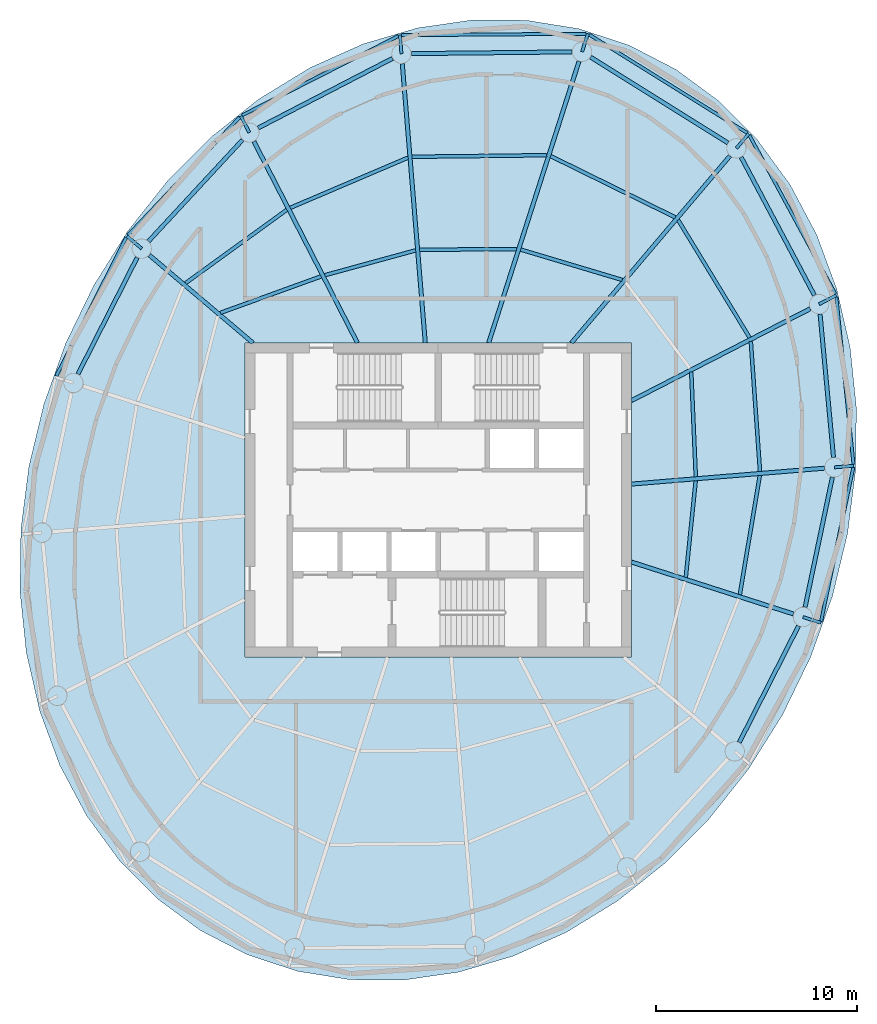
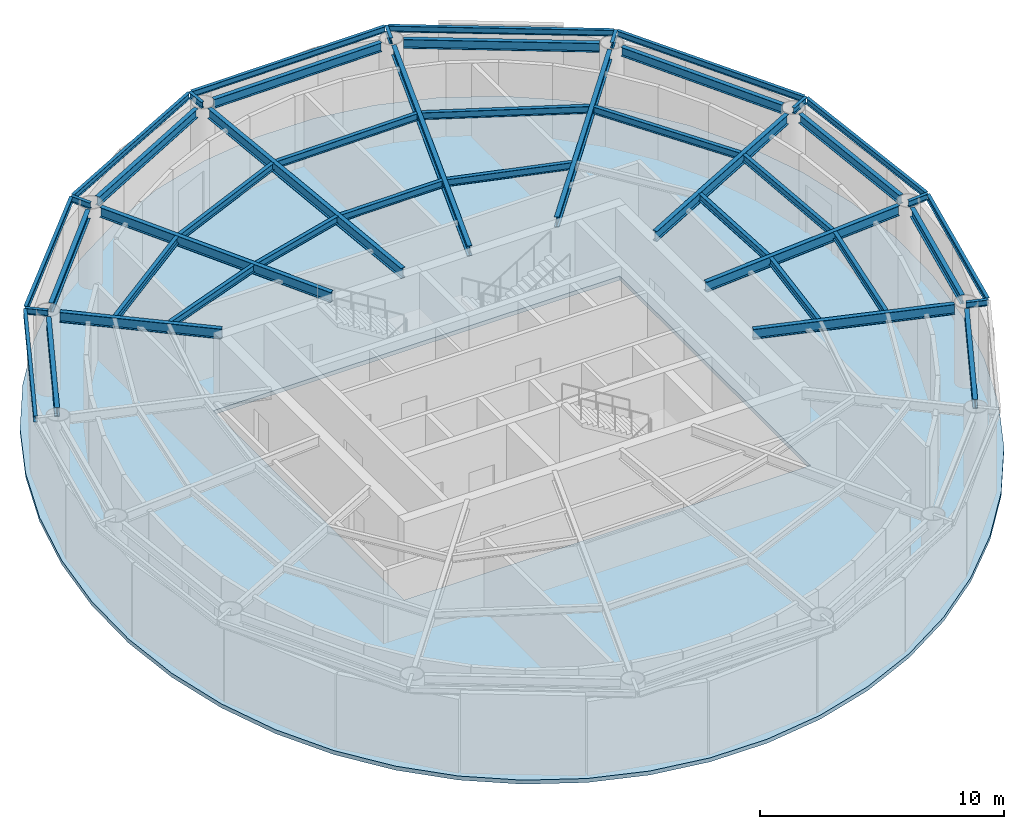
# One storey, part 2 of 6: 46 beams, 1 slab.
"""IFC4 building model written with IfcOpenShell, lengths in metres."""

from ifc_helpers import new_model, si_unit, direction, frame, origin, origin_2d, place, context, subcontext, project, spatial, polyline, i_section, outline, extrude, material, layer, layer_set, material_profile, profile_set, type_object, element, save


model = new_model("IFC4")

# Units and contexts
model_context = context("Model", 3, precision=1e-05, world=origin(), true_north=direction((0.0, 1.0)))
body_context = subcontext(model_context, "Body", "Model", "MODEL_VIEW")
ifc_project = project(units=[si_unit("LENGTHUNIT", "METRE"), si_unit("AREAUNIT", "SQUARE_METRE"), si_unit("VOLUMEUNIT", "CUBIC_METRE"), si_unit("PLANEANGLEUNIT", "RADIAN"), si_unit("MASSUNIT", "GRAM", prefix="KILO")], contexts=[model_context])

# Site, building, storey
site_placement = place(None, origin())
site = spatial("IfcSite", under=ifc_project, at=site_placement, CompositionType="ELEMENT")
building_placement = place(site_placement, origin())
building = spatial("IfcBuilding", under=site, at=building_placement, Name="Vermilion Reach Broadcast Tower", CompositionType="ELEMENT")
storey_placement = place(building_placement, frame((0.0, 0.0, 304.5)))
storey = spatial("IfcBuildingStorey", under=building, at=storey_placement, Name="L76 CROWN", CompositionType="ELEMENT", Elevation=304.5)

# Beams
ifc_material_1 = material(Name="Steel S355J2", Category="steel")
ifc_material_profile_1 = material_profile(ifc_material_1, i_section(OverallWidth=0.14990234375, OverallDepth=0.300048828125, WebThickness=0.006591796875, FlangeThickness=0.009033203125, at=origin_2d()), Name="S355J2 HN 300x150x6.5x9")
ifc_profile_set_1 = profile_set([ifc_material_profile_1], Name="Steel S355J2")
beam_type_1 = type_object("IfcBeamType", Name="EB5 HN 300x150x6.5x9", PredefinedType="BEAM", material=ifc_profile_set_1)
beam_1_placement = place(storey_placement, frame((1.346435546875, 23.140380859375, 3.85009765625), z_axis=(-0.999971629622, -0.007532592595, 0.0), x_axis=(0.007532592595, -0.999971629622, 0.0)))
element("IfcBeam", 1, at=beam_1_placement, inside=storey, type_object=beam_type_1, Name="Edge beam EB5-01", PredefinedType="BEAM", context=body_context, shape_type="SweptSolid", body=[
    extrude(i_section(OverallWidth=0.14990234375, OverallDepth=0.300048828125, WebThickness=0.006591796875, FlangeThickness=0.009033203125, at=origin_2d()), origin(), (0.0, 0.0, 1.0), 9.17236328125),
])
beam_2_placement = place(storey_placement, frame((-7.97314453125, 23.033935546875, 3.85009765625), z_axis=(-0.891604217889, -0.452815545936, 0.0), x_axis=(0.452815545936, -0.891604217889, 0.0)))
element("IfcBeam", 2, at=beam_2_placement, inside=storey, type_object=beam_type_1, Name="Edge beam EB5-02", PredefinedType="BEAM", context=body_context, shape_type="SweptSolid", body=[
    extrude(i_section(OverallWidth=0.14990234375, OverallDepth=0.300048828125, WebThickness=0.006591796875, FlangeThickness=0.009033203125, at=origin_2d()), origin(), (0.0, 0.0, 1.0), 8.70263671875),
])
beam_3_placement = place(storey_placement, frame((-15.85400390625, 19.001708984375, 3.85009765625), z_axis=(-0.687701793008, -0.725993280888, 0.0), x_axis=(0.725993280888, -0.687701793008, 0.0)))
element("IfcBeam", 3, at=beam_3_placement, inside=storey, type_object=beam_type_1, Name="Edge beam EB5-03", PredefinedType="BEAM", context=body_context, shape_type="SweptSolid", body=[
    extrude(i_section(OverallWidth=0.14990234375, OverallDepth=0.300048828125, WebThickness=0.006591796875, FlangeThickness=0.009033203125, at=origin_2d()), origin(), (0.0, 0.0, 1.0), 8.05908203125),
])
beam_4_placement = place(storey_placement, frame((-21.48291015625, 13.02734375, 3.85009765625), z_axis=(-0.451232435887, -0.892406459414, 0.0), x_axis=(0.892406459414, -0.451232435887, 0.0)))
element("IfcBeam", 4, at=beam_4_placement, inside=storey, type_object=beam_type_1, Name="Edge beam EB5-04", PredefinedType="BEAM", context=body_context, shape_type="SweptSolid", body=[
    extrude(i_section(OverallWidth=0.14990234375, OverallDepth=0.300048828125, WebThickness=0.006591796875, FlangeThickness=0.009033203125, at=origin_2d()), origin(), (0.0, 0.0, 1.0), 7.6943359375),
])
beam_5_placement = place(storey_placement, frame((13.00439453125, -6.019287109375, 3.85009765625), z_axis=(0.204738436734, 0.978816720599, 0.0), x_axis=(-0.978816720599, 0.204738436734, 0.0)))
element("IfcBeam", 5, at=beam_5_placement, inside=storey, type_object=beam_type_1, Name="Edge beam EB5-13", PredefinedType="BEAM", context=body_context, shape_type="SweptSolid", body=[
    extrude(i_section(OverallWidth=0.14990234375, OverallDepth=0.300048828125, WebThickness=0.006591796875, FlangeThickness=0.009033203125, at=origin_2d()), origin(), (0.0, 0.0, 1.0), 7.806884765625),
])
beam_6_placement = place(storey_placement, frame((14.611083984375, 1.7734375, 3.85009765625), z_axis=(-0.102011792202, 0.99478318957, 0.0), x_axis=(-0.99478318957, -0.102011792202, 0.0)))
element("IfcBeam", 6, at=beam_6_placement, inside=storey, type_object=beam_type_1, Name="Edge beam EB5-14", PredefinedType="BEAM", context=body_context, shape_type="SweptSolid", body=[
    extrude(i_section(OverallWidth=0.14990234375, OverallDepth=0.300048828125, WebThickness=0.006591796875, FlangeThickness=0.009033203125, at=origin_2d()), origin(), (0.0, 0.0, 1.0), 8.34521484375),
])
beam_7_placement = place(storey_placement, frame((13.7158203125, 10.22119140625, 3.85009765625), z_axis=(-0.476526173128, 0.879160284774, 0.0), x_axis=(-0.879160284774, -0.476526173128, 0.0)))
element("IfcBeam", 7, at=beam_7_placement, inside=storey, type_object=beam_type_1, Name="Edge beam EB5-15", PredefinedType="BEAM", context=body_context, shape_type="SweptSolid", body=[
    extrude(i_section(OverallWidth=0.14990234375, OverallDepth=0.300048828125, WebThickness=0.006591796875, FlangeThickness=0.009033203125, at=origin_2d()), origin(), (0.0, 0.0, 1.0), 8.9638671875),
])
beam_8_placement = place(storey_placement, frame((9.341552734375, 18.212646484375, 3.85009765625), z_axis=(-0.848928421209, 0.528507838791, 0.0), x_axis=(-0.528507838791, -0.848928421209, 0.0)))
element("IfcBeam", 8, at=beam_8_placement, inside=storey, type_object=beam_type_1, Name="Edge beam EB5-16", PredefinedType="BEAM", context=body_context, shape_type="SweptSolid", body=[
    extrude(i_section(OverallWidth=0.14990234375, OverallDepth=0.300048828125, WebThickness=0.006591796875, FlangeThickness=0.009033203125, at=origin_2d()), origin(), (0.0, 0.0, 1.0), 9.24755859375),
])
ifc_material_2 = material(Name="Steel S355J2", Category="steel")
ifc_material_profile_2 = material_profile(ifc_material_2, i_section(OverallWidth=0.199951171875, OverallDepth=0.5, WebThickness=0.010009765625, FlangeThickness=0.01611328125, at=origin_2d()), Name="S355J2 HN 500x200x10x16")
ifc_profile_set_2 = profile_set([ifc_material_profile_2], Name="Steel S355J2")
beam_type_2 = type_object("IfcBeamType", Name="G5 HN 500x200x10x16", PredefinedType="BEAM", material=ifc_profile_set_2)
beam_9_placement = place(storey_placement, frame((-3.497314453125, 7.800048828125, 3.75), z_axis=(0.305545401295, 0.952177508528, 0.0), x_axis=(-0.952177508528, 0.305545401295, 0.0)))
element("IfcBeam", 9, at=beam_9_placement, inside=storey, type_object=beam_type_2, Name="Girder G5-01", PredefinedType="BEAM", context=body_context, shape_type="SweptSolid", body=[
    extrude(i_section(OverallWidth=0.199951171875, OverallDepth=0.5, WebThickness=0.010009765625, FlangeThickness=0.01611328125, at=origin_2d()), origin(), (0.0, 0.0, 1.0), 14.672607421875),
])
beam_10_placement = place(storey_placement, frame((-6.642578125, 7.800048828125, 3.75), z_axis=(-0.082123744247, 0.996622140347, 0.0), x_axis=(-0.996622140347, -0.082123744247, 0.0)))
element("IfcBeam", 10, at=beam_10_placement, inside=storey, type_object=beam_type_2, Name="Girder G5-02", PredefinedType="BEAM", context=body_context, shape_type="SweptSolid", body=[
    extrude(i_section(OverallWidth=0.199951171875, OverallDepth=0.5, WebThickness=0.010009765625, FlangeThickness=0.01611328125, at=origin_2d()), origin(), (0.0, 0.0, 1.0), 13.89794921875),
])
beam_11_placement = place(storey_placement, frame((-10.010498046875, 7.800048828125, 3.75), z_axis=(-0.457258168112, 0.889334002327, 0.0), x_axis=(-0.889334002327, -0.457258168112, 0.0)))
element("IfcBeam", 11, at=beam_11_placement, inside=storey, type_object=beam_type_2, Name="Girder G5-03", PredefinedType="BEAM", context=body_context, shape_type="SweptSolid", body=[
    extrude(i_section(OverallWidth=0.199951171875, OverallDepth=0.5, WebThickness=0.010009765625, FlangeThickness=0.01611328125, at=origin_2d()), origin(), (0.0, 0.0, 1.0), 11.236328125),
])
beam_12_placement = place(storey_placement, frame((-15.20068359375, 7.800048828125, 3.75), z_axis=(-0.762793125612, 0.646642596431, 0.0), x_axis=(-0.646642596431, -0.762793125612, 0.0)))
element("IfcBeam", 12, at=beam_12_placement, inside=storey, type_object=beam_type_2, Name="Girder G5-04", PredefinedType="BEAM", context=body_context, shape_type="SweptSolid", body=[
    extrude(i_section(OverallWidth=0.199951171875, OverallDepth=0.5, WebThickness=0.010009765625, FlangeThickness=0.01611328125, at=origin_2d()), origin(), (0.0, 0.0, 1.0), 6.732421875),
])
beam_13_placement = place(storey_placement, frame((3.60009765625, -3.080322265625, 3.75), z_axis=(0.952178453449, -0.305542456604, 0.0), x_axis=(0.305542456604, 0.952178453449, 0.0)))
element("IfcBeam", 13, at=beam_13_placement, inside=storey, type_object=beam_type_2, Name="Girder G5-13", PredefinedType="BEAM", context=body_context, shape_type="SweptSolid", body=[
    extrude(i_section(OverallWidth=0.199951171875, OverallDepth=0.5, WebThickness=0.010009765625, FlangeThickness=0.01611328125, at=origin_2d()), origin(), (0.0, 0.0, 1.0), 8.43310546875),
])
beam_14_placement = place(storey_placement, frame((3.60009765625, 0.791015625, 3.75), z_axis=(0.996624410075, 0.082096195058, 0.0), x_axis=(-0.082096195058, 0.996624410075, 0.0)))
element("IfcBeam", 14, at=beam_14_placement, inside=storey, type_object=beam_type_2, Name="Girder G5-14", PredefinedType="BEAM", context=body_context, shape_type="SweptSolid", body=[
    extrude(i_section(OverallWidth=0.199951171875, OverallDepth=0.5, WebThickness=0.010009765625, FlangeThickness=0.01611328125, at=origin_2d()), origin(), (0.0, 0.0, 1.0), 9.599609375),
])
beam_15_placement = place(storey_placement, frame((3.60009765625, 4.935791015625, 3.75), z_axis=(0.889332502449, 0.457261085254, 0.0), x_axis=(-0.457261085254, 0.889332502449, 0.0)))
element("IfcBeam", 15, at=beam_15_placement, inside=storey, type_object=beam_type_2, Name="Girder G5-15", PredefinedType="BEAM", context=body_context, shape_type="SweptSolid", body=[
    extrude(i_section(OverallWidth=0.199951171875, OverallDepth=0.5, WebThickness=0.010009765625, FlangeThickness=0.01611328125, at=origin_2d()), origin(), (0.0, 0.0, 1.0), 9.96337890625),
])
beam_16_placement = place(storey_placement, frame((0.612548828125, 7.800048828125, 3.75), z_axis=(0.646658335602, 0.762779782766, 0.0), x_axis=(-0.762779782766, 0.646658335602, 0.0)))
element("IfcBeam", 16, at=beam_16_placement, inside=storey, type_object=beam_type_2, Name="Girder G5-16", PredefinedType="BEAM", context=body_context, shape_type="SweptSolid", body=[
    extrude(i_section(OverallWidth=0.199951171875, OverallDepth=0.5, WebThickness=0.010009765625, FlangeThickness=0.01611328125, at=origin_2d()), origin(), (0.0, 0.0, 1.0), 12.16064453125),
])
ifc_material_3 = material(Name="Steel S355J2", Category="steel")
ifc_material_profile_3 = material_profile(ifc_material_3, i_section(OverallWidth=0.14990234375, OverallDepth=0.300048828125, WebThickness=0.006591796875, FlangeThickness=0.009033203125, at=origin_2d()), Name="S355J2 HN 300x150x6.5x9")
ifc_profile_set_3 = profile_set([ifc_material_profile_3], Name="Steel S355J2")
beam_type_3 = type_object("IfcBeamType", Name="GS5 HN 300x150x6.5x9", PredefinedType="BEAM", material=ifc_profile_set_3)
beam_17_placement = place(storey_placement, frame((1.138427734375, 22.2470703125, 3.85009765625), z_axis=(0.305596628184, 0.95216106875, 0.0), x_axis=(-0.95216106875, 0.305596628184, 0.0)))
element("IfcBeam", 17, at=beam_17_placement, inside=storey, type_object=beam_type_3, Name="Cantilever stub GS5-01", PredefinedType="BEAM", context=body_context, shape_type="SweptSolid", body=[
    extrude(i_section(OverallWidth=0.14990234375, OverallDepth=0.300048828125, WebThickness=0.006591796875, FlangeThickness=0.009033203125, at=origin_2d()), origin(), (0.0, 0.0, 1.0), 0.938720703125),
])
beam_18_placement = place(storey_placement, frame((-7.824951171875, 22.1494140625, 3.85009765625), z_axis=(-0.082149174093, 0.996620044548, 0.0), x_axis=(-0.996620044548, -0.082149174093, 0.0)))
element("IfcBeam", 18, at=beam_18_placement, inside=storey, type_object=beam_type_3, Name="Cantilever stub GS5-02", PredefinedType="BEAM", context=body_context, shape_type="SweptSolid", body=[
    extrude(i_section(OverallWidth=0.14990234375, OverallDepth=0.300048828125, WebThickness=0.006591796875, FlangeThickness=0.009033203125, at=origin_2d()), origin(), (0.0, 0.0, 1.0), 0.92431640625),
])
beam_19_placement = place(storey_placement, frame((-15.376953125, 18.23779296875, 3.85009765625), z_axis=(-0.457228572872, 0.889349218333, 0.0), x_axis=(-0.889349218333, -0.457228572872, 0.0)))
element("IfcBeam", 19, at=beam_19_placement, inside=storey, type_object=beam_type_3, Name="Cantilever stub GS5-03", PredefinedType="BEAM", context=body_context, shape_type="SweptSolid", body=[
    extrude(i_section(OverallWidth=0.14990234375, OverallDepth=0.300048828125, WebThickness=0.006591796875, FlangeThickness=0.009033203125, at=origin_2d()), origin(), (0.0, 0.0, 1.0), 0.923828125),
])
beam_20_placement = place(storey_placement, frame((-20.717529296875, 12.476806640625, 3.85009765625), z_axis=(-0.762718692688, 0.64673038882, 0.0), x_axis=(-0.64673038882, -0.762718692688, 0.0)))
element("IfcBeam", 20, at=beam_20_placement, inside=storey, type_object=beam_type_3, Name="Cantilever stub GS5-04", PredefinedType="BEAM", context=body_context, shape_type="SweptSolid", body=[
    extrude(i_section(OverallWidth=0.14990234375, OverallDepth=0.300048828125, WebThickness=0.006591796875, FlangeThickness=0.009033203125, at=origin_2d()), origin(), (0.0, 0.0, 1.0), 0.957763671875),
])
beam_21_placement = place(storey_placement, frame((12.10595703125, -5.809814453125, 3.85009765625), z_axis=(0.952228317443, -0.305387019141, 0.0), x_axis=(0.305387019141, 0.952228317443, 0.0)))
element("IfcBeam", 21, at=beam_21_placement, inside=storey, type_object=beam_type_3, Name="Cantilever stub GS5-13", PredefinedType="BEAM", context=body_context, shape_type="SweptSolid", body=[
    extrude(i_section(OverallWidth=0.14990234375, OverallDepth=0.300048828125, WebThickness=0.006591796875, FlangeThickness=0.009033203125, at=origin_2d()), origin(), (0.0, 0.0, 1.0), 0.92724609375),
])
beam_22_placement = place(storey_placement, frame((13.665771484375, 1.620361328125, 3.85009765625), z_axis=(0.996634988565, 0.081967673925, 0.0), x_axis=(-0.081967673925, 0.996634988565, 0.0)))
element("IfcBeam", 22, at=beam_22_placement, inside=storey, type_object=beam_type_3, Name="Cantilever stub GS5-14", PredefinedType="BEAM", context=body_context, shape_type="SweptSolid", body=[
    extrude(i_section(OverallWidth=0.14990234375, OverallDepth=0.300048828125, WebThickness=0.006591796875, FlangeThickness=0.009033203125, at=origin_2d()), origin(), (0.0, 0.0, 1.0), 0.9560546875),
])
beam_23_placement = place(storey_placement, frame((12.905517578125, 9.72021484375, 3.85009765625), z_axis=(0.88934146644, 0.457243650662, 0.0), x_axis=(-0.457243650662, 0.88934146644, 0.0)))
element("IfcBeam", 23, at=beam_23_placement, inside=storey, type_object=beam_type_3, Name="Cantilever stub GS5-15", PredefinedType="BEAM", context=body_context, shape_type="SweptSolid", body=[
    extrude(i_section(OverallWidth=0.14990234375, OverallDepth=0.300048828125, WebThickness=0.006591796875, FlangeThickness=0.009033203125, at=origin_2d()), origin(), (0.0, 0.0, 1.0), 0.951416015625),
])
beam_24_placement = place(storey_placement, frame((8.799560546875, 17.457275390625, 3.85009765625), z_axis=(0.646665495652, 0.762773712665, 0.0), x_axis=(-0.762773712665, 0.646665495652, 0.0)))
element("IfcBeam", 24, at=beam_24_placement, inside=storey, type_object=beam_type_3, Name="Cantilever stub GS5-16", PredefinedType="BEAM", context=body_context, shape_type="SweptSolid", body=[
    extrude(i_section(OverallWidth=0.14990234375, OverallDepth=0.300048828125, WebThickness=0.006591796875, FlangeThickness=0.009033203125, at=origin_2d()), origin(), (0.0, 0.0, 1.0), 0.937744140625),
])
ifc_material_4 = material(Name="Steel S355J2", Category="steel")
ifc_material_profile_4 = material_profile(ifc_material_4, i_section(OverallWidth=0.199951171875, OverallDepth=0.449951171875, WebThickness=0.009033203125, FlangeThickness=0.013916015625, at=origin_2d()), Name="S355J2 HN 450x200x9x14")
ifc_profile_set_4 = profile_set([ifc_material_profile_4], Name="Steel S355J2")
beam_type_4 = type_object("IfcBeamType", Name="RB5 HN 450x200x9x14", PredefinedType="BEAM", material=ifc_profile_set_4)
beam_25_placement = place(storey_placement, frame((0.638427734375, 22.24169921875, 3.77490234375), z_axis=(-0.999940445231, -0.010913569149, 0.0), x_axis=(0.010913569149, -0.999940445231, 0.0)))
element("IfcBeam", 25, at=beam_25_placement, inside=storey, type_object=beam_type_4, Name="Ring beam RB5-01", PredefinedType="BEAM", context=body_context, shape_type="SweptSolid", body=[
    extrude(i_section(OverallWidth=0.199951171875, OverallDepth=0.449951171875, WebThickness=0.009033203125, FlangeThickness=0.013916015625, at=origin_2d()), origin(), (0.0, 0.0, 1.0), 7.9638671875),
])
beam_26_placement = place(storey_placement, frame((-8.268798828125, 21.91943359375, 3.77490234375), z_axis=(-0.887960248279, -0.459920207729, 0.0), x_axis=(0.459920207729, -0.887960248279, 0.0)))
element("IfcBeam", 26, at=beam_26_placement, inside=storey, type_object=beam_type_4, Name="Ring beam RB5-02", PredefinedType="BEAM", context=body_context, shape_type="SweptSolid", body=[
    extrude(i_section(OverallWidth=0.199951171875, OverallDepth=0.449951171875, WebThickness=0.009033203125, FlangeThickness=0.013916015625, at=origin_2d()), origin(), (0.0, 0.0, 1.0), 7.5048828125),
])
beam_27_placement = place(storey_placement, frame((-15.716796875, 17.87109375, 3.77490234375), z_axis=(-0.679837550075, -0.733362738014, 0.0), x_axis=(0.733362738014, -0.679837550075, 0.0)))
element("IfcBeam", 27, at=beam_27_placement, inside=storey, type_object=beam_type_4, Name="Ring beam RB5-03", PredefinedType="BEAM", context=body_context, shape_type="SweptSolid", body=[
    extrude(i_section(OverallWidth=0.199951171875, OverallDepth=0.449951171875, WebThickness=0.009033203125, FlangeThickness=0.013916015625, at=origin_2d()), origin(), (0.0, 0.0, 1.0), 6.85546875),
])
for number, where, z_axis, x_axis, name in (
    (28, (-20.944091796875, 12.03125, 3.77490234375), (-0.453052302855, -0.891483937532, 0.0), (0.891483937532, -0.453052302855, 0.0), "Ring beam RB5-04"),
    (29, (8.944091796875, -12.03125, 3.77490234375), (0.453052302855, 0.891483937532, 0.0), (-0.891483937532, 0.453052302855, 0.0), "Ring beam RB5-12"),
):
    element("IfcBeam", number, at=place(storey_placement, frame(where, z_axis=z_axis, x_axis=x_axis)), inside=storey, type_object=beam_type_4, Name=name, PredefinedType="BEAM", context=body_context, shape_type="SweptSolid", body=[
        extrude(i_section(OverallWidth=0.199951171875, OverallDepth=0.449951171875, WebThickness=0.009033203125, FlangeThickness=0.013916015625, at=origin_2d()), origin(), (0.0, 0.0, 1.0), 6.47900390625),
    ])
beam_28_placement = place(storey_placement, frame((12.208740234375, -5.3203125, 3.77490234375), z_axis=(0.205444869285, 0.978668690459, 0.0), x_axis=(-0.978668690459, 0.205444869285, 0.0)))
element("IfcBeam", 30, at=beam_28_placement, inside=storey, type_object=beam_type_4, Name="Ring beam RB5-13", PredefinedType="BEAM", context=body_context, shape_type="SweptSolid", body=[
    extrude(i_section(OverallWidth=0.199951171875, OverallDepth=0.449951171875, WebThickness=0.009033203125, FlangeThickness=0.013916015625, at=origin_2d()), origin(), (0.0, 0.0, 1.0), 6.591796875),
])
beam_29_placement = place(storey_placement, frame((13.618896484375, 2.1181640625, 3.77490234375), z_axis=(-0.093441399272, 0.995624781181, 0.0), x_axis=(-0.995624781181, -0.093441399272, 0.0)))
element("IfcBeam", 31, at=beam_29_placement, inside=storey, type_object=beam_type_4, Name="Ring beam RB5-14", PredefinedType="BEAM", context=body_context, shape_type="SweptSolid", body=[
    extrude(i_section(OverallWidth=0.199951171875, OverallDepth=0.449951171875, WebThickness=0.009033203125, FlangeThickness=0.013916015625, at=origin_2d()), origin(), (0.0, 0.0, 1.0), 7.135498046875),
])
beam_30_placement = place(storey_placement, frame((12.671142578125, 10.161865234375, 3.77490234375), z_axis=(-0.468767917375, 0.883321368269, 0.0), x_axis=(-0.883321368269, -0.468767917375, 0.0)))
element("IfcBeam", 32, at=beam_30_placement, inside=storey, type_object=beam_type_4, Name="Ring beam RB5-15", PredefinedType="BEAM", context=body_context, shape_type="SweptSolid", body=[
    extrude(i_section(OverallWidth=0.199951171875, OverallDepth=0.449951171875, WebThickness=0.009033203125, FlangeThickness=0.013916015625, at=origin_2d()), origin(), (0.0, 0.0, 1.0), 7.759033203125),
])
beam_31_placement = place(storey_placement, frame((8.375732421875, 17.722412109375, 3.77490234375), z_axis=(-0.847914653245, 0.530132757724, 0.0), x_axis=(-0.530132757724, -0.847914653245, 0.0)))
element("IfcBeam", 33, at=beam_31_placement, inside=storey, type_object=beam_type_4, Name="Ring beam RB5-16", PredefinedType="BEAM", context=body_context, shape_type="SweptSolid", body=[
    extrude(i_section(OverallWidth=0.199951171875, OverallDepth=0.449951171875, WebThickness=0.009033203125, FlangeThickness=0.013916015625, at=origin_2d()), origin(), (0.0, 0.0, 1.0), 8.035400390625),
])
ifc_material_5 = material(Name="Steel S355J2", Category="steel")
ifc_material_profile_5 = material_profile(ifc_material_5, i_section(OverallWidth=0.175048828125, OverallDepth=0.35009765625, WebThickness=0.007080078125, FlangeThickness=0.010986328125, at=origin_2d()), Name="S355J2 HN 350x175x7x11")
ifc_profile_set_5 = profile_set([ifc_material_profile_5], Name="Steel S355J2")
beam_type_5 = type_object("IfcBeamType", Name="SB5 HN 350x175x7x11", PredefinedType="BEAM", material=ifc_profile_set_5)
beam_32_placement = place(storey_placement, frame((-2.108154296875, 12.4560546875, 3.824951171875), z_axis=(-0.999968312294, -0.007960804474, 0.0), x_axis=(0.007960804474, -0.999968312294, 0.0)))
element("IfcBeam", 34, at=beam_32_placement, inside=storey, type_object=beam_type_5, Name="Secondary beam SB5-01-1", PredefinedType="BEAM", context=body_context, shape_type="SweptSolid", body=[
    extrude(i_section(OverallWidth=0.175048828125, OverallDepth=0.35009765625, WebThickness=0.007080078125, FlangeThickness=0.010986328125, at=origin_2d()), origin(), (0.0, 0.0, 1.0), 4.81494140625),
])
beam_33_placement = place(storey_placement, frame((-0.614013671875, 17.11279296875, 3.824951171875), z_axis=(-0.999932654133, -0.011605481368, 0.0), x_axis=(0.011605481368, -0.999932654133, 0.0)))
element("IfcBeam", 35, at=beam_33_placement, inside=storey, type_object=beam_type_5, Name="Secondary beam SB5-01-2", PredefinedType="BEAM", context=body_context, shape_type="SweptSolid", body=[
    extrude(i_section(OverallWidth=0.175048828125, OverallDepth=0.35009765625, WebThickness=0.007080078125, FlangeThickness=0.010986328125, at=origin_2d()), origin(), (0.0, 0.0, 1.0), 6.689697265625),
])
beam_34_placement = place(storey_placement, frame((-7.12109375, 12.39013671875, 3.824951171875), z_axis=(-0.964547496851, -0.263909314573, 0.0), x_axis=(0.263909314573, -0.964547496851, 0.0)))
element("IfcBeam", 36, at=beam_34_placement, inside=storey, type_object=beam_type_5, Name="Secondary beam SB5-02-1", PredefinedType="BEAM", context=body_context, shape_type="SweptSolid", body=[
    extrude(i_section(OverallWidth=0.175048828125, OverallDepth=0.35009765625, WebThickness=0.007080078125, FlangeThickness=0.010986328125, at=origin_2d()), origin(), (0.0, 0.0, 1.0), 4.6689453125),
])
beam_35_placement = place(storey_placement, frame((-7.50048828125, 16.99267578125, 3.824951171875), z_axis=(-0.919880986172, -0.392197617637, 0.0), x_axis=(0.392197617637, -0.919880986172, 0.0)))
element("IfcBeam", 37, at=beam_35_placement, inside=storey, type_object=beam_type_5, Name="Secondary beam SB5-02-2", PredefinedType="BEAM", context=body_context, shape_type="SweptSolid", body=[
    extrude(i_section(OverallWidth=0.175048828125, OverallDepth=0.35009765625, WebThickness=0.007080078125, FlangeThickness=0.010986328125, at=origin_2d()), origin(), (0.0, 0.0, 1.0), 6.351806640625),
])
beam_36_placement = place(storey_placement, frame((-11.81787109375, 11.0966796875, 3.824951171875), z_axis=(-0.940220108875, -0.340567389613, 0.0), x_axis=(0.340567389613, -0.940220108875, 0.0)))
element("IfcBeam", 38, at=beam_36_placement, inside=storey, type_object=beam_type_5, Name="Secondary beam SB5-03-1", PredefinedType="BEAM", context=body_context, shape_type="SweptSolid", body=[
    extrude(i_section(OverallWidth=0.175048828125, OverallDepth=0.35009765625, WebThickness=0.007080078125, FlangeThickness=0.010986328125, at=origin_2d()), origin(), (0.0, 0.0, 1.0), 5.303466796875),
])
beam_37_placement = place(storey_placement, frame((-13.517578125, 14.402587890625, 3.824951171875), z_axis=(-0.809771251518, -0.586745703192, 0.0), x_axis=(0.586745703192, -0.809771251518, 0.0)))
element("IfcBeam", 39, at=beam_37_placement, inside=storey, type_object=beam_type_5, Name="Secondary beam SB5-03-2", PredefinedType="BEAM", context=body_context, shape_type="SweptSolid", body=[
    extrude(i_section(OverallWidth=0.175048828125, OverallDepth=0.35009765625, WebThickness=0.007080078125, FlangeThickness=0.010986328125, at=origin_2d()), origin(), (0.0, 0.0, 1.0), 6.20361328125),
])
beam_38_placement = place(storey_placement, frame((6.287109375, -3.837646484375, 3.824951171875), z_axis=(0.102113775264, 0.994772726255, 0.0), x_axis=(-0.994772726255, 0.102113775264, 0.0)))
element("IfcBeam", 40, at=beam_38_placement, inside=storey, type_object=beam_type_5, Name="Secondary beam SB5-13-1", PredefinedType="BEAM", context=body_context, shape_type="SweptSolid", body=[
    extrude(i_section(OverallWidth=0.175048828125, OverallDepth=0.35009765625, WebThickness=0.007080078125, FlangeThickness=0.010986328125, at=origin_2d()), origin(), (0.0, 0.0, 1.0), 4.815185546875),
])
beam_39_placement = place(storey_placement, frame((8.969970703125, -4.698486328125, 3.824951171875), z_axis=(0.16532337011, 0.986239414795, 0.0), x_axis=(-0.986239414795, 0.16532337011, 0.0)))
element("IfcBeam", 41, at=beam_39_placement, inside=storey, type_object=beam_type_5, Name="Secondary beam SB5-13-2", PredefinedType="BEAM", context=body_context, shape_type="SweptSolid", body=[
    extrude(i_section(OverallWidth=0.175048828125, OverallDepth=0.35009765625, WebThickness=0.007080078125, FlangeThickness=0.010986328125, at=origin_2d()), origin(), (0.0, 0.0, 1.0), 5.99560546875),
])
beam_40_placement = place(storey_placement, frame((6.78466796875, 1.153564453125, 3.824951171875), z_axis=(-0.043557530017, 0.999050920413, 0.0), x_axis=(-0.999050920413, -0.043557530017, 0.0)))
element("IfcBeam", 42, at=beam_40_placement, inside=storey, type_object=beam_type_5, Name="Secondary beam SB5-14-1", PredefinedType="BEAM", context=body_context, shape_type="SweptSolid", body=[
    extrude(i_section(OverallWidth=0.175048828125, OverallDepth=0.35009765625, WebThickness=0.007080078125, FlangeThickness=0.010986328125, at=origin_2d()), origin(), (0.0, 0.0, 1.0), 5.19580078125),
])
beam_41_placement = place(storey_placement, frame((9.97119140625, 1.416259765625, 3.824951171875), z_axis=(-0.070586780458, 0.997505642302, 0.0), x_axis=(-0.997505642302, -0.070586780458, 0.0)))
element("IfcBeam", 43, at=beam_41_placement, inside=storey, type_object=beam_type_5, Name="Secondary beam SB5-14-2", PredefinedType="BEAM", context=body_context, shape_type="SweptSolid", body=[
    extrude(i_section(OverallWidth=0.175048828125, OverallDepth=0.35009765625, WebThickness=0.007080078125, FlangeThickness=0.010986328125, at=origin_2d()), origin(), (0.0, 0.0, 1.0), 6.46435546875),
])
beam_42_placement = place(storey_placement, frame((9.455078125, 8.058837890625, 3.824951171875), z_axis=(-0.519272962556, 0.854608442714, 0.0), x_axis=(-0.854608442714, -0.519272962556, 0.0)))
element("IfcBeam", 44, at=beam_42_placement, inside=storey, type_object=beam_type_5, Name="Secondary beam SB5-15-2", PredefinedType="BEAM", context=body_context, shape_type="SweptSolid", body=[
    extrude(i_section(OverallWidth=0.175048828125, OverallDepth=0.35009765625, WebThickness=0.007080078125, FlangeThickness=0.010986328125, at=origin_2d()), origin(), (0.0, 0.0, 1.0), 6.82763671875),
])
beam_43_placement = place(storey_placement, frame((3.129150390625, 10.92333984375, 3.824951171875), z_axis=(-0.958124906971, 0.286350593925, 0.0), x_axis=(-0.286350593925, -0.958124906971, 0.0)))
element("IfcBeam", 45, at=beam_43_placement, inside=storey, type_object=beam_type_5, Name="Secondary beam SB5-16-1", PredefinedType="BEAM", context=body_context, shape_type="SweptSolid", body=[
    extrude(i_section(OverallWidth=0.175048828125, OverallDepth=0.35009765625, WebThickness=0.007080078125, FlangeThickness=0.010986328125, at=origin_2d()), origin(), (0.0, 0.0, 1.0), 5.25634765625),
])
beam_44_placement = place(storey_placement, frame((5.762451171875, 14.029541015625, 3.824951171875), z_axis=(-0.897335928087, 0.441348198325, 0.0), x_axis=(-0.441348198325, -0.897335928087, 0.0)))
element("IfcBeam", 46, at=beam_44_placement, inside=storey, type_object=beam_type_5, Name="Secondary beam SB5-16-2", PredefinedType="BEAM", context=body_context, shape_type="SweptSolid", body=[
    extrude(i_section(OverallWidth=0.175048828125, OverallDepth=0.35009765625, WebThickness=0.007080078125, FlangeThickness=0.010986328125, at=origin_2d()), origin(), (0.0, 0.0, 1.0), 6.887451171875),
])

# Slab
ifc_material_6 = material(Name="Concrete C40", Category="concrete")
ifc_layer = layer(ifc_material_6, 0.199951171875)
ifc_layer_set = layer_set([ifc_layer], Name="Floor slab Concrete C40 200")
slab_type = type_object("IfcSlabType", Name="Floor slab Concrete C40 200", PredefinedType="FLOOR", material=ifc_layer_set)
slab_placement = place(storey_placement, frame((0.0, 0.0, -0.199951171875)))
element("IfcSlab", 47, at=slab_placement, inside=storey, type_object=slab_type, Name="Floor slab L76 CROWN", PredefinedType="FLOOR", context=body_context, shape_type="SweptSolid", body=[
    extrude(outline(polyline([(3.486328125, 22.567138671875), (0.991455078125, 23.388916015625), (-1.623046875, 23.810302734375), (-4.3125, 23.82421875), (-7.03076171875, 23.4306640625), (-9.7314453125, 22.635986328125), (-12.368408203125, 21.4541015625), (-14.896240234375, 19.9052734375), (-17.271728515625, 18.015625), (-19.45458984375, 15.81787109375), (-21.4072265625, 13.349609375), (-23.09619140625, 10.652587890625), (-24.49267578125, 7.773681640625), (-25.572509765625, 4.761474609375), (-26.317626953125, 1.66796875), (-26.715087890625, -1.454345703125), (-26.75830078125, -4.551513671875), (-26.446044921875, -7.57080078125), (-25.7841796875, -10.460693359375), (-24.78369140625, -13.171630859375), (-23.461669921875, -15.656982421875), (-21.841064453125, -17.87451171875), (-19.949462890625, -19.786376953125), (-17.819091796875, -21.359375), (-15.486328125, -22.567138671875), (-12.991455078125, -23.388916015625), (-10.376953125, -23.810302734375), (-7.6875, -23.82421875), (-4.96923828125, -23.4306640625), (-2.2685546875, -22.635986328125), (0.368408203125, -21.4541015625), (2.896240234375, -19.9052734375), (5.271728515625, -18.015625), (7.45458984375, -15.81787109375), (9.4072265625, -13.349609375), (11.09619140625, -10.652587890625), (12.49267578125, -7.773681640625), (13.572509765625, -4.761474609375), (14.317626953125, -1.66796875), (14.715087890625, 1.454345703125), (14.75830078125, 4.551513671875), (14.446044921875, 7.57080078125), (13.7841796875, 10.460693359375), (12.78369140625, 13.171630859375), (11.461669921875, 15.656982421875), (9.841064453125, 17.87451171875), (7.949462890625, 19.786376953125), (5.819091796875, 21.359375), (3.486328125, 22.567138671875)]), holes=[polyline([(-15.60009765625, -7.800048828125), (3.60009765625, -7.800048828125), (3.60009765625, 7.800048828125), (-15.60009765625, 7.800048828125), (-15.60009765625, -7.800048828125)])]), origin(), (0.0, 0.0, 1.0), 0.199951171875),
])

save(model, "model.ifc")
